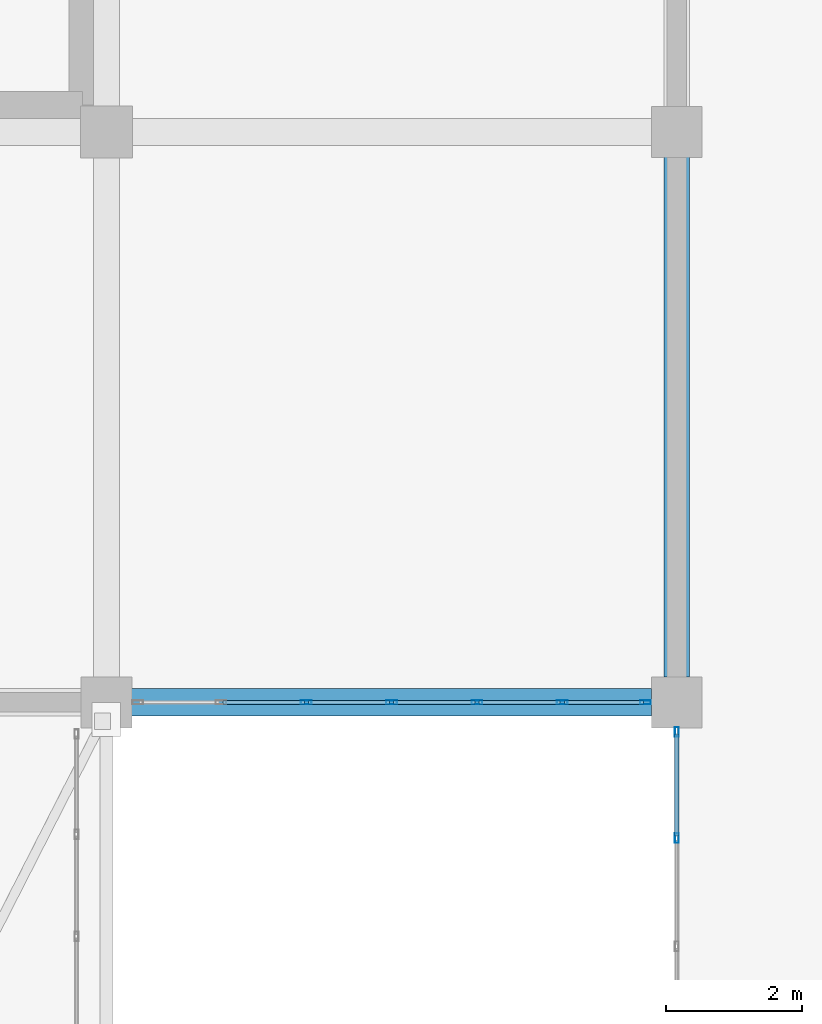
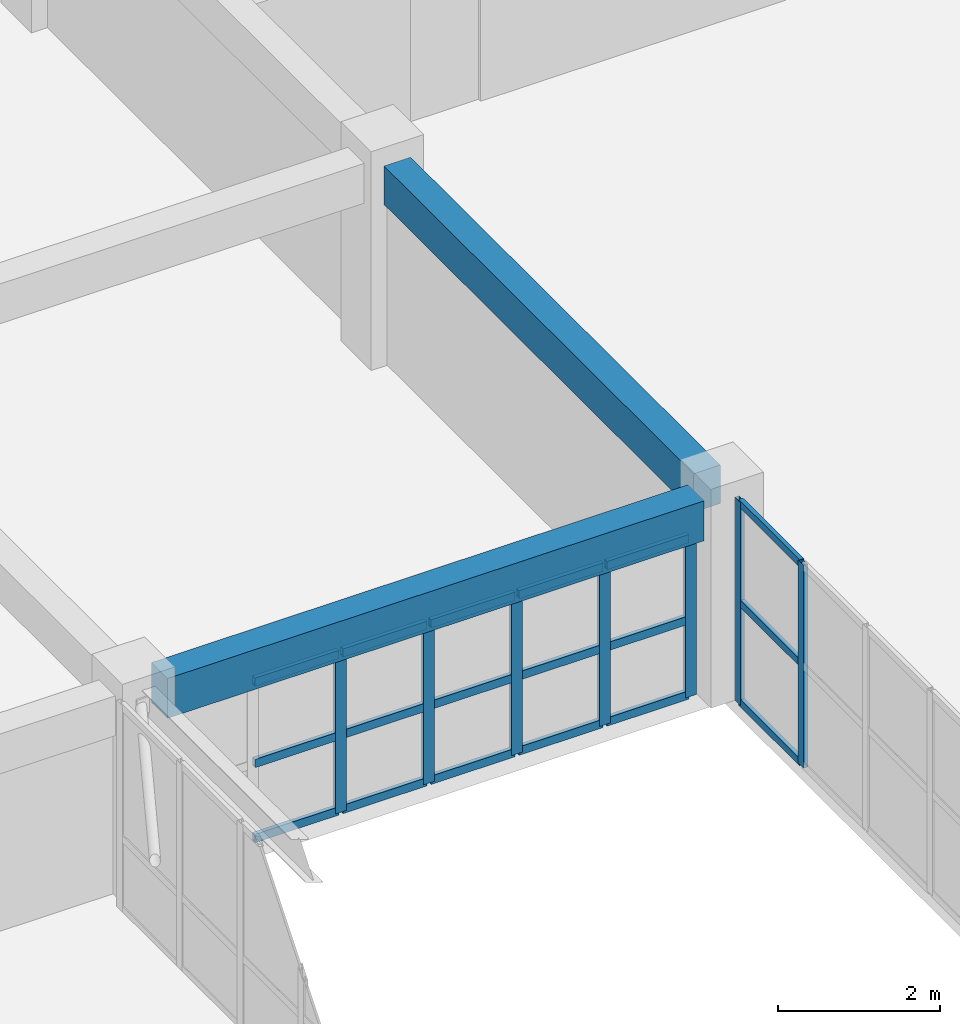
# One storey, part 67 of 200: 25 members, 2 beams, 2 elements without a shape of their own.
"""IFC4 building model written with IfcOpenShell, lengths in metres."""

from ifc_helpers import new_model, si_unit, direction, frame, origin, origin_2d, place, context, subcontext, project, spatial, rectangle, hollow_rectangle, extrude, material, layer, layer_set, material_profile, profile_set, type_object, element, aggregate, save


model = new_model("IFC4")

# Units and contexts
model_context = context("Model", 3, precision=1e-05, world=origin(), true_north=direction((0.0, 1.0)))
body_context = subcontext(model_context, "Body", "Model", "MODEL_VIEW")
ifc_project = project(units=[si_unit("LENGTHUNIT", "METRE"), si_unit("AREAUNIT", "SQUARE_METRE"), si_unit("VOLUMEUNIT", "CUBIC_METRE"), si_unit("PLANEANGLEUNIT", "RADIAN"), si_unit("MASSUNIT", "GRAM", prefix="KILO")], contexts=[model_context])

# Site, building, storey
site_placement = place(None, origin())
site = spatial("IfcSite", under=ifc_project, at=site_placement, CompositionType="ELEMENT")
building_placement = place(site_placement, origin())
building = spatial("IfcBuilding", under=site, at=building_placement, Name="Trelvath General Hospital", CompositionType="ELEMENT")
storey_placement = place(building_placement, frame((0.0, 0.0, 4.800048828125)))
storey = spatial("IfcBuildingStorey", under=building, at=storey_placement, Name="L01", CompositionType="ELEMENT", Elevation=4.800048828125)

# Beams
ifc_material_1 = material(Name="Concrete C35/45", Category="concrete")
ifc_material_profile_1 = material_profile(ifc_material_1, rectangle(XDim=0.3798828125, YDim=0.580078125, at=origin_2d()), Name="RCB380x580")
ifc_profile_set_1 = profile_set([ifc_material_profile_1], Name="Concrete C35/45")
beam_type_1 = type_object("IfcBeamType", Name="Beam RC380x580", PredefinedType="BEAM", material=ifc_profile_set_1)
beam_1_placement = place(storey_placement, frame((92.39990234375, 42.3701171875, 2.72998046875), z_axis=(0.0, 1.0, 0.0), x_axis=(-1.0, 0.0, 0.0)))
element("IfcBeam", 1, at=beam_1_placement, inside=storey, type_object=beam_type_1, Name="Grid Beam BY-111F", PredefinedType="BEAM", context=body_context, shape_type="SweptSolid", body=[
    extrude(rectangle(XDim=0.3798828125, YDim=0.580078125, at=origin_2d()), origin(), (0.0, 0.0, 1.0), 7.659912109375),
])
ifc_material_2 = material(Name="Concrete C35/45", Category="concrete")
ifc_material_profile_2 = material_profile(ifc_material_2, rectangle(XDim=0.39990234375, YDim=0.60009765625, at=origin_2d()), Name="RCB400x600")
ifc_profile_set_2 = profile_set([ifc_material_profile_2], Name="Concrete C35/45")
beam_type_2 = type_object("IfcBeamType", Name="Beam RC400x600", PredefinedType="BEAM", material=ifc_profile_set_2)
beam_2_placement = place(storey_placement, frame((84.3701171875, 42.0, 2.719970703125), z_axis=(1.0, 0.0, 0.0), x_axis=(0.0, 1.0, 0.0)))
element("IfcBeam", 2, at=beam_2_placement, inside=storey, type_object=beam_type_2, Name="Grid Beam BX-110F", PredefinedType="BEAM", context=body_context, shape_type="SweptSolid", body=[
    extrude(rectangle(XDim=0.39990234375, YDim=0.60009765625, at=origin_2d()), origin(), (0.0, 0.0, 1.0), 7.659912109375),
])

# Curtain wall, members
ifc_material_3 = material(Name="Anodised aluminium and low-E glass", Category="aluminium")
ifc_layer_1 = layer(ifc_material_3, 0.14990234375)
ifc_layer_set_1 = layer_set([ifc_layer_1], Name="Anodised aluminium and low-E glass")
curtain_wall_type_1 = type_object("IfcCurtainWallType", Name="CW CrystalCube 798 306 15", PredefinedType="USERDEFINED", material=ifc_layer_set_1)
curtain_wall_1_placement = place(storey_placement, origin())
curtain_wall_1 = element("IfcCurtainWall", 3, at=curtain_wall_1_placement, inside=storey, type_object=curtain_wall_type_1, Name="Crystal Cube Curtain Wall CUBE-E-T0 W2 L01", ObjectType="Unitised Glazed Curtain Wall", PredefinedType="USERDEFINED")
ifc_material_4 = material(Name="Anodised aluminium", Category="aluminium")
ifc_material_profile_3 = material_profile(ifc_material_4, hollow_rectangle(XDim=0.06005859375, YDim=0.139892578125, WallThickness=0.00390625, at=origin_2d()), Name="RHS60x140x4")
ifc_profile_set_3 = profile_set([ifc_material_profile_3], Name="Anodised aluminium")
member_type_1 = type_object("IfcMemberType", Name="CurtainMullion 60x140", PredefinedType="MULLION", material=ifc_profile_set_3)
member_1_placement = place(storey_placement, frame((92.39990234375, 40.0, 0.0), z_axis=(0.0, 0.0, 1.0), x_axis=(-1.0, 0.0, 0.0)))
member_1 = element("IfcMember", 4, at=member_1_placement, type_object=member_type_1, Name="CW-163 mullion 5", PredefinedType="MULLION", context=body_context, shape_type="SweptSolid", body=[
    extrude(hollow_rectangle(XDim=0.06005859375, YDim=0.139892578125, WallThickness=0.00390625, at=origin_2d()), origin(), (0.0, 0.0, 1.0), 3.06005859375),
])
member_2_placement = place(storey_placement, frame((92.39990234375, 41.56494140625, 0.0), z_axis=(0.0, 0.0, 1.0), x_axis=(-1.0, 0.0, 0.0)))
member_2 = element("IfcMember", 5, at=member_2_placement, type_object=member_type_1, Name="CW-163 mullion 6", PredefinedType="MULLION", context=body_context, shape_type="SweptSolid", body=[
    extrude(hollow_rectangle(XDim=0.06005859375, YDim=0.139892578125, WallThickness=0.00390625, at=origin_2d()), origin(), (0.0, 0.0, 1.0), 3.06005859375),
])

ifc_material_5 = material(Name="Anodised aluminium and low-E glass", Category="aluminium")
ifc_layer_2 = layer(ifc_material_5, 0.159912109375)
ifc_layer_set_2 = layer_set([ifc_layer_2], Name="Anodised aluminium and low-E glass")
curtain_wall_type_2 = type_object("IfcCurtainWallType", Name="CW Facade 754 242 16", PredefinedType="USERDEFINED", material=ifc_layer_set_2)
curtain_wall_2_placement = place(storey_placement, origin())
curtain_wall_2 = element("IfcCurtainWall", 6, at=curtain_wall_2_placement, inside=storey, type_object=curtain_wall_type_2, Name="Facade Curtain Wall CW-016", ObjectType="Unitised Glazed Curtain Wall", PredefinedType="USERDEFINED")
ifc_material_6 = material(Name="Anodised aluminium", Category="aluminium")
ifc_material_profile_4 = material_profile(ifc_material_6, hollow_rectangle(XDim=0.06005859375, YDim=0.159912109375, WallThickness=0.00390625, at=origin_2d()), Name="RHS60x160x4")
ifc_profile_set_4 = profile_set([ifc_material_profile_4], Name="Anodised aluminium")
member_type_2 = type_object("IfcMemberType", Name="CurtainMullion 60x160", PredefinedType="MULLION", material=ifc_profile_set_4)
member_3_placement = place(storey_placement, frame((91.93994140625, 42.0, 0.0), z_axis=(0.0, 0.0, 1.0), x_axis=(0.0, -1.0, 0.0)))
member_3 = element("IfcMember", 7, at=member_3_placement, type_object=member_type_2, Name="CW-016 mullion 1", PredefinedType="MULLION", context=body_context, shape_type="SweptSolid", body=[
    extrude(hollow_rectangle(XDim=0.06005859375, YDim=0.159912109375, WallThickness=0.00390625, at=origin_2d()), origin(), (0.0, 0.0, 1.0), 2.419921875),
])
member_4_placement = place(storey_placement, frame((90.71337890625, 42.0, 0.0), z_axis=(0.0, 0.0, 1.0), x_axis=(0.0, -1.0, 0.0)))
member_4 = element("IfcMember", 8, at=member_4_placement, type_object=member_type_2, Name="CW-016 mullion 2", PredefinedType="MULLION", context=body_context, shape_type="SweptSolid", body=[
    extrude(hollow_rectangle(XDim=0.06005859375, YDim=0.159912109375, WallThickness=0.00390625, at=origin_2d()), origin(), (0.0, 0.0, 1.0), 2.419921875),
])
member_5_placement = place(storey_placement, frame((89.456787109375, 42.0, 0.0), z_axis=(0.0, 0.0, 1.0), x_axis=(0.0, -1.0, 0.0)))
member_5 = element("IfcMember", 9, at=member_5_placement, type_object=member_type_2, Name="CW-016 mullion 3", PredefinedType="MULLION", context=body_context, shape_type="SweptSolid", body=[
    extrude(hollow_rectangle(XDim=0.06005859375, YDim=0.159912109375, WallThickness=0.00390625, at=origin_2d()), origin(), (0.0, 0.0, 1.0), 2.419921875),
])
member_6_placement = place(storey_placement, frame((88.199951171875, 42.0, 0.0), z_axis=(0.0, 0.0, 1.0), x_axis=(0.0, -1.0, 0.0)))
member_6 = element("IfcMember", 10, at=member_6_placement, type_object=member_type_2, Name="CW-016 mullion 4", PredefinedType="MULLION", context=body_context, shape_type="SweptSolid", body=[
    extrude(hollow_rectangle(XDim=0.06005859375, YDim=0.159912109375, WallThickness=0.00390625, at=origin_2d()), origin(), (0.0, 0.0, 1.0), 2.419921875),
])
member_7_placement = place(storey_placement, frame((86.943359375, 42.0, 0.0), z_axis=(0.0, 0.0, 1.0), x_axis=(0.0, -1.0, 0.0)))
member_7 = element("IfcMember", 11, at=member_7_placement, type_object=member_type_2, Name="CW-016 mullion 5", PredefinedType="MULLION", context=body_context, shape_type="SweptSolid", body=[
    extrude(hollow_rectangle(XDim=0.06005859375, YDim=0.159912109375, WallThickness=0.00390625, at=origin_2d()), origin(), (0.0, 0.0, 1.0), 2.419921875),
])

# Member
ifc_material_7 = material(Name="Anodised aluminium", Category="aluminium")
ifc_material_profile_5 = material_profile(ifc_material_7, hollow_rectangle(XDim=0.06005859375, YDim=0.110107421875, WallThickness=0.00390625, at=origin_2d()), Name="RHS60x110x4")
ifc_profile_set_5 = profile_set([ifc_material_profile_5], Name="Anodised aluminium")
member_type_3 = type_object("IfcMemberType", Name="CurtainTransom 60x110", PredefinedType="USERDEFINED", material=ifc_profile_set_5)
member_8_placement = place(storey_placement, frame((92.39990234375, 40.030029296875, 0.030029296875), z_axis=(0.0, 1.0, 0.0), x_axis=(-1.0, 0.0, 0.0)))
member_8 = element("IfcMember", 12, at=member_8_placement, type_object=member_type_3, Name="CW-163 transom 5.1", ObjectType="TRANSOM", PredefinedType="USERDEFINED", context=body_context, shape_type="SweptSolid", body=[
    extrude(hollow_rectangle(XDim=0.06005859375, YDim=0.110107421875, WallThickness=0.00390625, at=origin_2d()), origin(), (0.0, 0.0, 1.0), 1.5048828125),
])

member_9_placement = place(storey_placement, frame((92.39990234375, 40.030029296875, 1.530029296875), z_axis=(0.0, 1.0, 0.0), x_axis=(-1.0, 0.0, 0.0)))
member_9 = element("IfcMember", 13, at=member_9_placement, type_object=member_type_3, Name="CW-163 transom 5.2", ObjectType="TRANSOM", PredefinedType="USERDEFINED", context=body_context, shape_type="SweptSolid", body=[
    extrude(hollow_rectangle(XDim=0.06005859375, YDim=0.110107421875, WallThickness=0.00390625, at=origin_2d()), origin(), (0.0, 0.0, 1.0), 1.5048828125),
])

member_10_placement = place(storey_placement, frame((92.39990234375, 40.030029296875, 3.030029296875), z_axis=(0.0, 1.0, 0.0), x_axis=(-1.0, 0.0, 0.0)))
member_10 = element("IfcMember", 14, at=member_10_placement, type_object=member_type_3, Name="CW-163 transom 5.3", ObjectType="TRANSOM", PredefinedType="USERDEFINED", context=body_context, shape_type="SweptSolid", body=[
    extrude(hollow_rectangle(XDim=0.06005859375, YDim=0.110107421875, WallThickness=0.00390625, at=origin_2d()), origin(), (0.0, 0.0, 1.0), 1.5048828125),
])

aggregate(curtain_wall_1, [member_1, member_2, member_8, member_9, member_10])

ifc_material_8 = material(Name="Anodised aluminium", Category="aluminium")
ifc_material_profile_6 = material_profile(ifc_material_8, hollow_rectangle(XDim=0.06005859375, YDim=0.125, WallThickness=0.00390625, at=origin_2d()), Name="RHS60x125x4")
ifc_profile_set_6 = profile_set([ifc_material_profile_6], Name="Anodised aluminium")
member_type_4 = type_object("IfcMemberType", Name="CurtainTransom 60x125", PredefinedType="USERDEFINED", material=ifc_profile_set_6)
member_11_placement = place(storey_placement, frame((91.909912109375, 42.0, 0.030029296875), z_axis=(-1.0, 0.0, 0.0), x_axis=(0.0, -1.0, 0.0)))
member_11 = element("IfcMember", 15, at=member_11_placement, type_object=member_type_4, Name="CW-016 transom 1.1", ObjectType="TRANSOM", PredefinedType="USERDEFINED", context=body_context, shape_type="SweptSolid", body=[
    extrude(hollow_rectangle(XDim=0.06005859375, YDim=0.125, WallThickness=0.00390625, at=origin_2d()), origin(), (0.0, 0.0, 1.0), 1.16650390625),
])

member_12_placement = place(storey_placement, frame((91.909912109375, 42.0, 1.161865234375), z_axis=(-1.0, 0.0, 0.0), x_axis=(0.0, -1.0, 0.0)))
member_12 = element("IfcMember", 16, at=member_12_placement, type_object=member_type_4, Name="CW-016 transom 1.2", ObjectType="TRANSOM", PredefinedType="USERDEFINED", context=body_context, shape_type="SweptSolid", body=[
    extrude(hollow_rectangle(XDim=0.06005859375, YDim=0.125, WallThickness=0.00390625, at=origin_2d()), origin(), (0.0, 0.0, 1.0), 1.16650390625),
])

member_13_placement = place(storey_placement, frame((91.909912109375, 42.0, 2.389892578125), z_axis=(-1.0, 0.0, 0.0), x_axis=(0.0, -1.0, 0.0)))
member_13 = element("IfcMember", 17, at=member_13_placement, type_object=member_type_4, Name="CW-016 transom 1.3", ObjectType="TRANSOM", PredefinedType="USERDEFINED", context=body_context, shape_type="SweptSolid", body=[
    extrude(hollow_rectangle(XDim=0.06005859375, YDim=0.125, WallThickness=0.00390625, at=origin_2d()), origin(), (0.0, 0.0, 1.0), 1.16650390625),
])

member_14_placement = place(storey_placement, frame((90.683349609375, 42.0, 0.030029296875), z_axis=(-1.0, 0.0, 0.0), x_axis=(0.0, -1.0, 0.0)))
member_14 = element("IfcMember", 18, at=member_14_placement, type_object=member_type_4, Name="CW-016 transom 2.1", ObjectType="TRANSOM", PredefinedType="USERDEFINED", context=body_context, shape_type="SweptSolid", body=[
    extrude(hollow_rectangle(XDim=0.06005859375, YDim=0.125, WallThickness=0.00390625, at=origin_2d()), origin(), (0.0, 0.0, 1.0), 1.19677734375),
])

member_15_placement = place(storey_placement, frame((90.683349609375, 42.0, 1.161865234375), z_axis=(-1.0, 0.0, 0.0), x_axis=(0.0, -1.0, 0.0)))
member_15 = element("IfcMember", 19, at=member_15_placement, type_object=member_type_4, Name="CW-016 transom 2.2", ObjectType="TRANSOM", PredefinedType="USERDEFINED", context=body_context, shape_type="SweptSolid", body=[
    extrude(hollow_rectangle(XDim=0.06005859375, YDim=0.125, WallThickness=0.00390625, at=origin_2d()), origin(), (0.0, 0.0, 1.0), 1.19677734375),
])

member_16_placement = place(storey_placement, frame((90.683349609375, 42.0, 2.389892578125), z_axis=(-1.0, 0.0, 0.0), x_axis=(0.0, -1.0, 0.0)))
member_16 = element("IfcMember", 20, at=member_16_placement, type_object=member_type_4, Name="CW-016 transom 2.3", ObjectType="TRANSOM", PredefinedType="USERDEFINED", context=body_context, shape_type="SweptSolid", body=[
    extrude(hollow_rectangle(XDim=0.06005859375, YDim=0.125, WallThickness=0.00390625, at=origin_2d()), origin(), (0.0, 0.0, 1.0), 1.19677734375),
])

member_17_placement = place(storey_placement, frame((89.4267578125, 42.0, 0.030029296875), z_axis=(-1.0, 0.0, 0.0), x_axis=(0.0, -1.0, 0.0)))
member_17 = element("IfcMember", 21, at=member_17_placement, type_object=member_type_4, Name="CW-016 transom 3.1", ObjectType="TRANSOM", PredefinedType="USERDEFINED", context=body_context, shape_type="SweptSolid", body=[
    extrude(hollow_rectangle(XDim=0.06005859375, YDim=0.125, WallThickness=0.00390625, at=origin_2d()), origin(), (0.0, 0.0, 1.0), 1.19677734375),
])

member_18_placement = place(storey_placement, frame((89.4267578125, 42.0, 1.161865234375), z_axis=(-1.0, 0.0, 0.0), x_axis=(0.0, -1.0, 0.0)))
member_18 = element("IfcMember", 22, at=member_18_placement, type_object=member_type_4, Name="CW-016 transom 3.2", ObjectType="TRANSOM", PredefinedType="USERDEFINED", context=body_context, shape_type="SweptSolid", body=[
    extrude(hollow_rectangle(XDim=0.06005859375, YDim=0.125, WallThickness=0.00390625, at=origin_2d()), origin(), (0.0, 0.0, 1.0), 1.19677734375),
])

member_19_placement = place(storey_placement, frame((89.4267578125, 42.0, 2.389892578125), z_axis=(-1.0, 0.0, 0.0), x_axis=(0.0, -1.0, 0.0)))
member_19 = element("IfcMember", 23, at=member_19_placement, type_object=member_type_4, Name="CW-016 transom 3.3", ObjectType="TRANSOM", PredefinedType="USERDEFINED", context=body_context, shape_type="SweptSolid", body=[
    extrude(hollow_rectangle(XDim=0.06005859375, YDim=0.125, WallThickness=0.00390625, at=origin_2d()), origin(), (0.0, 0.0, 1.0), 1.19677734375),
])

member_20_placement = place(storey_placement, frame((88.169921875, 42.0, 0.030029296875), z_axis=(-1.0, 0.0, 0.0), x_axis=(0.0, -1.0, 0.0)))
member_20 = element("IfcMember", 24, at=member_20_placement, type_object=member_type_4, Name="CW-016 transom 4.1", ObjectType="TRANSOM", PredefinedType="USERDEFINED", context=body_context, shape_type="SweptSolid", body=[
    extrude(hollow_rectangle(XDim=0.06005859375, YDim=0.125, WallThickness=0.00390625, at=origin_2d()), origin(), (0.0, 0.0, 1.0), 1.196533203125),
])

member_21_placement = place(storey_placement, frame((88.169921875, 42.0, 1.161865234375), z_axis=(-1.0, 0.0, 0.0), x_axis=(0.0, -1.0, 0.0)))
member_21 = element("IfcMember", 25, at=member_21_placement, type_object=member_type_4, Name="CW-016 transom 4.2", ObjectType="TRANSOM", PredefinedType="USERDEFINED", context=body_context, shape_type="SweptSolid", body=[
    extrude(hollow_rectangle(XDim=0.06005859375, YDim=0.125, WallThickness=0.00390625, at=origin_2d()), origin(), (0.0, 0.0, 1.0), 1.196533203125),
])

member_22_placement = place(storey_placement, frame((88.169921875, 42.0, 2.389892578125), z_axis=(-1.0, 0.0, 0.0), x_axis=(0.0, -1.0, 0.0)))
member_22 = element("IfcMember", 26, at=member_22_placement, type_object=member_type_4, Name="CW-016 transom 4.3", ObjectType="TRANSOM", PredefinedType="USERDEFINED", context=body_context, shape_type="SweptSolid", body=[
    extrude(hollow_rectangle(XDim=0.06005859375, YDim=0.125, WallThickness=0.00390625, at=origin_2d()), origin(), (0.0, 0.0, 1.0), 1.196533203125),
])

member_23_placement = place(storey_placement, frame((86.913330078125, 42.0, 0.030029296875), z_axis=(-1.0, 0.0, 0.0), x_axis=(0.0, -1.0, 0.0)))
member_23 = element("IfcMember", 27, at=member_23_placement, type_object=member_type_4, Name="CW-016 transom 5.1", ObjectType="TRANSOM", PredefinedType="USERDEFINED", context=body_context, shape_type="SweptSolid", body=[
    extrude(hollow_rectangle(XDim=0.06005859375, YDim=0.125, WallThickness=0.00390625, at=origin_2d()), origin(), (0.0, 0.0, 1.0), 1.19677734375),
])

member_24_placement = place(storey_placement, frame((86.913330078125, 42.0, 1.161865234375), z_axis=(-1.0, 0.0, 0.0), x_axis=(0.0, -1.0, 0.0)))
member_24 = element("IfcMember", 28, at=member_24_placement, type_object=member_type_4, Name="CW-016 transom 5.2", ObjectType="TRANSOM", PredefinedType="USERDEFINED", context=body_context, shape_type="SweptSolid", body=[
    extrude(hollow_rectangle(XDim=0.06005859375, YDim=0.125, WallThickness=0.00390625, at=origin_2d()), origin(), (0.0, 0.0, 1.0), 1.19677734375),
])

member_25_placement = place(storey_placement, frame((86.913330078125, 42.0, 2.389892578125), z_axis=(-1.0, 0.0, 0.0), x_axis=(0.0, -1.0, 0.0)))
member_25 = element("IfcMember", 29, at=member_25_placement, type_object=member_type_4, Name="CW-016 transom 5.3", ObjectType="TRANSOM", PredefinedType="USERDEFINED", context=body_context, shape_type="SweptSolid", body=[
    extrude(hollow_rectangle(XDim=0.06005859375, YDim=0.125, WallThickness=0.00390625, at=origin_2d()), origin(), (0.0, 0.0, 1.0), 1.19677734375),
])

aggregate(curtain_wall_2, [member_3, member_4, member_5, member_6, member_7, member_11, member_12, member_13, member_14, member_15, member_16, member_17, member_18, member_19, member_20, member_21, member_22, member_23, member_24, member_25])

save(model, "model.ifc")
